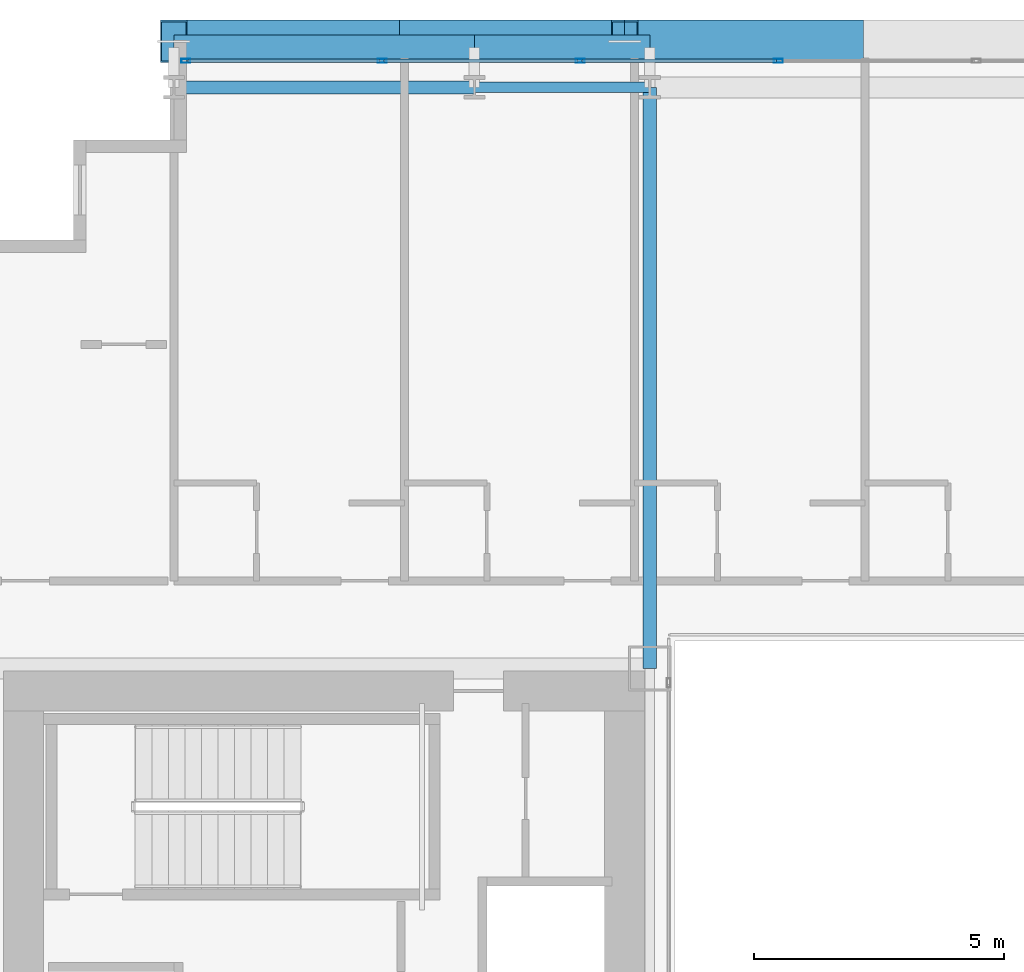
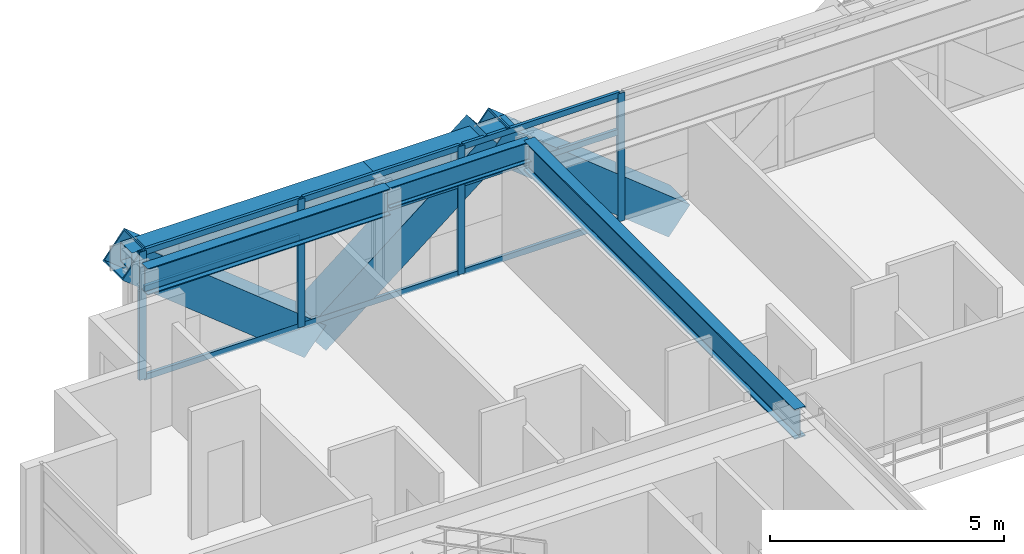
# One storey, part 21 of 41: 16 members, 5 beams, 1 element without a shape of its own.
"""IFC4 building model written with IfcOpenShell, lengths in metres."""

from ifc_helpers import new_model, si_unit, direction, frame, origin, origin_2d, place, context, subcontext, project, spatial, hollow_rectangle, i_section, extrude, source, transform, mapped, material, layer, layer_set, material_profile, profile_set, type_object, element, aggregate, save


model = new_model("IFC4")

# Units and contexts
model_context = context("Model", 3, precision=1e-05, world=origin(), true_north=direction((0.0, 1.0)))
body_context = subcontext(model_context, "Body", "Model", "MODEL_VIEW")
ifc_project = project(units=[si_unit("LENGTHUNIT", "METRE"), si_unit("AREAUNIT", "SQUARE_METRE"), si_unit("VOLUMEUNIT", "CUBIC_METRE"), si_unit("PLANEANGLEUNIT", "RADIAN"), si_unit("MASSUNIT", "GRAM", prefix="KILO")], contexts=[model_context])

# Site, building, storey
site_placement = place(None, origin())
site = spatial("IfcSite", under=ifc_project, at=site_placement, CompositionType="ELEMENT")
building_placement = place(site_placement, origin())
building = spatial("IfcBuilding", under=site, at=building_placement, Name="Ocotamira Hotel", CompositionType="ELEMENT")
storey_placement = place(building_placement, frame((0.0, 0.0, 38.39990234375)))
storey = spatial("IfcBuildingStorey", under=building, at=storey_placement, Name="L08", CompositionType="ELEMENT", Elevation=38.39990234375)

# Beams
ifc_material_1 = material(Name="Steel ASTM A992 Grade 50", Category="steel")
ifc_material_profile_1 = material_profile(ifc_material_1, i_section(OverallWidth=0.256103515625, OverallDepth=0.693115234375, WebThickness=0.014404296875, FlangeThickness=0.023681640625, FilletRadius=0.01611328125, at=origin_2d()), Name="W27X114")
ifc_profile_set_1 = profile_set([ifc_material_profile_1], Name="Steel ASTM A992 Grade 50")
beam_type_1 = type_object("IfcBeamType", Name="BM-PRIM-W27X114", PredefinedType="BEAM", material=ifc_profile_set_1)
shared_shape_1 = source(origin(), body_context, "Body", "SweptSolid", [
    extrude(i_section(OverallWidth=0.256103515625, OverallDepth=0.693115234375, WebThickness=0.014404296875, FlangeThickness=0.023681640625, FilletRadius=0.01611328125, at=origin_2d()), origin(), (0.0, 0.0, 1.0), 6.0),
])
beam_1_placement = place(storey_placement, frame((14.0, 49.050048828125, 3.003662109375), z_axis=(1.0, 0.0, 0.0), x_axis=(0.0, 1.0, 0.0)))
element("IfcBeam", 1, at=beam_1_placement, inside=storey, type_object=beam_type_1, Name="L08 Girder Y49.05 X14-20", PredefinedType="BEAM", context=body_context, shape_type="MappedRepresentation", body=[
    mapped(shared_shape_1, transform((0.0, 0.0, 0.0), scale=1.0)),
])
ifc_material_profile_2 = material_profile(ifc_material_1, i_section(OverallWidth=0.2099609375, OverallDepth=0.537109375, WebThickness=0.010986328125, FlangeThickness=0.017333984375, FilletRadius=0.012939453125, at=origin_2d()), Name="W21X68")
ifc_profile_set_2 = profile_set([ifc_material_profile_2], Name="Steel ASTM A992 Grade 50")
beam_type_2 = type_object("IfcBeamType", Name="BM-SEC-W21X68", PredefinedType="JOIST", material=ifc_profile_set_2)
shared_shape_2 = source(origin(), body_context, "Body", "SweptSolid", [
    extrude(i_section(OverallWidth=0.2099609375, OverallDepth=0.537109375, WebThickness=0.010986328125, FlangeThickness=0.017333984375, FilletRadius=0.012939453125, at=origin_2d()), origin(), (0.0, 0.0, 1.0), 3.5),
])
beam_2_placement = place(storey_placement, frame((20.0, 49.050048828125, 3.08154296875), z_axis=(1.0, 0.0, 0.0), x_axis=(0.0, 1.0, 0.0)))
element("IfcBeam", 2, at=beam_2_placement, inside=storey, type_object=beam_type_2, Name="L08 Girder Y49.05 X20-23.5", PredefinedType="JOIST", context=body_context, shape_type="MappedRepresentation", body=[
    mapped(shared_shape_2, transform((0.0, 0.0, 0.0), scale=1.0)),
])
ifc_material_profile_3 = material_profile(ifc_material_1, i_section(OverallWidth=0.26611328125, OverallDepth=0.779052734375, WebThickness=0.0166015625, FlangeThickness=0.030029296875, FilletRadius=0.01806640625, at=origin_2d()), Name="W30X148")
ifc_profile_set_3 = profile_set([ifc_material_profile_3], Name="Steel ASTM A992 Grade 50")
beam_type_3 = type_object("IfcBeamType", Name="BM-GIRD-W30X148", PredefinedType="BEAM", material=ifc_profile_set_3)
shared_shape_3 = source(origin(), body_context, "Body", "SweptSolid", [
    extrude(i_section(OverallWidth=0.26611328125, OverallDepth=0.779052734375, WebThickness=0.0166015625, FlangeThickness=0.030029296875, FilletRadius=0.01806640625, at=origin_2d()), origin(), (0.0, 0.0, 1.0), 11.60009765625),
])
beam_3_placement = place(storey_placement, frame((23.5, 37.449951171875, 2.960693359375), z_axis=(0.0, 1.0, 0.0), x_axis=(-1.0, 0.0, 0.0)))
element("IfcBeam", 3, at=beam_3_placement, inside=storey, type_object=beam_type_3, Name="L08 Beam X23.5 Y37.45-49.05", PredefinedType="BEAM", context=body_context, shape_type="MappedRepresentation", body=[
    mapped(shared_shape_3, transform((0.0, 0.0, 0.0), scale=1.0)),
])
ifc_material_2 = material(Name="Steel ASTM A500 Grade C", Category="steel")
ifc_material_profile_4 = material_profile(ifc_material_2, hollow_rectangle(XDim=0.5, YDim=0.5, WallThickness=0.02001953125, at=origin_2d()), Name="HSS500X500X20")
ifc_profile_set_4 = profile_set([ifc_material_profile_4], Name="Steel ASTM A500 Grade C")
beam_type_4 = type_object("IfcBeamType", Name="BM-SPAN-HSS500", PredefinedType="USERDEFINED", material=ifc_profile_set_4)
shared_shape_4 = source(origin(), body_context, "Body", "SweptSolid", [
    extrude(hollow_rectangle(XDim=0.5, YDim=0.5, WallThickness=0.02001953125, at=origin_2d()), origin(), (0.0, 0.0, 1.0), 6.0),
])
beam_4_placement = place(storey_placement, frame((14.0, 49.85009765625, 3.10009765625), z_axis=(1.0, 0.0, 0.0), x_axis=(0.0, 1.0, 0.0)))
element("IfcBeam", 4, at=beam_4_placement, inside=storey, type_object=beam_type_4, Name="L08 Edge Spandrel N X14-20", ObjectType="SPANDREL", PredefinedType="USERDEFINED", context=body_context, shape_type="MappedRepresentation", body=[
    mapped(shared_shape_4, transform((0.0, 0.0, 0.0), scale=1.0)),
])
shared_shape_5 = source(origin(), body_context, "Body", "SweptSolid", [
    extrude(hollow_rectangle(XDim=0.5, YDim=0.5, WallThickness=0.02001953125, at=origin_2d()), origin(), (0.0, 0.0, 1.0), 3.5),
])
beam_5_placement = place(storey_placement, frame((20.0, 49.85009765625, 3.10009765625), z_axis=(1.0, 0.0, 0.0), x_axis=(0.0, 1.0, 0.0)))
element("IfcBeam", 5, at=beam_5_placement, inside=storey, type_object=beam_type_4, Name="L08 Edge Spandrel N X20-23.5", ObjectType="SPANDREL", PredefinedType="USERDEFINED", context=body_context, shape_type="MappedRepresentation", body=[
    mapped(shared_shape_5, transform((0.0, 0.0, 0.0), scale=1.0)),
])

# Members
ifc_material_3 = material(Name="Pale-metal coated steel ASTM A913 Grade 65", Category="steel")
ifc_material_profile_5 = material_profile(ifc_material_3, hollow_rectangle(XDim=0.85009765625, YDim=0.85009765625, WallThickness=0.035888671875, at=origin_2d()), Name="BOX850X850X36")
ifc_profile_set_5 = profile_set([ifc_material_profile_5], Name="Pale-metal coated steel ASTM A913 Grade 65")
member_type_1 = type_object("IfcMemberType", Name="MEM-EXO-BOX850", PredefinedType="BRACE", material=ifc_profile_set_5)
shared_shape_6 = source(origin(), body_context, "Body", "SweptSolid", [
    extrude(hollow_rectangle(XDim=0.85009765625, YDim=0.85009765625, WallThickness=0.035888671875, at=origin_2d()), origin(), (0.0, 0.0, 1.0), 5.762939453125),
])
for number, where, z_axis, x_axis, name in (
    (6, (18.5, 49.969970703125, -0.5), (-0.780860543151, 0.0, 0.624705380279), (0.0, -1.0, 0.0), "L08 Exoskeleton Diagrid N0.1"),
    (7, (18.5, 49.969970703125, -0.5), (0.780860543151, 0.0, 0.624705380279), (0.0, 1.0, 0.0), "L08 Exoskeleton Diagrid N0.2"),
    (8, (27.5, 49.969970703125, -0.5), (-0.780860543151, 0.0, 0.624705380279), (0.0, -1.0, 0.0), "L08 Exoskeleton Diagrid N1.1"),
):
    element("IfcMember", number, at=place(storey_placement, frame(where, z_axis=z_axis, x_axis=x_axis)), inside=storey, type_object=member_type_1, Name=name, PredefinedType="BRACE", context=body_context, shape_type="MappedRepresentation", body=[
        mapped(shared_shape_6, transform((0.0, 0.0, 0.0), scale=1.0)),
    ])

# Curtain wall, members
ifc_material_4 = material(Name="Anodised pale-metal aluminium and solar glass", Category="aluminium")
ifc_layer = layer(ifc_material_4, 0.179931640625)
ifc_layer_set = layer_set([ifc_layer], Name="Anodised pale-metal aluminium and solar glass")
curtain_wall_type = type_object("IfcCurtainWallType", Name="CW-SYS2-Z1", PredefinedType="NOTDEFINED", material=ifc_layer_set)
curtain_wall_placement = place(storey_placement, origin())
curtain_wall = element("IfcCurtainWall", 9, at=curtain_wall_placement, inside=storey, type_object=curtain_wall_type, Name="L08 Curtain Wall CW-2 CW-L08-N", PredefinedType="NOTDEFINED")
ifc_material_5 = material(Name="Anodised pale-metal aluminium 6063-T6", Category="aluminium")
ifc_material_profile_6 = material_profile(ifc_material_5, hollow_rectangle(XDim=0.074951171875, YDim=0.14990234375, WallThickness=0.006103515625, at=origin_2d()), Name="HSS150X75X6")
ifc_profile_set_6 = profile_set([ifc_material_profile_6], Name="Anodised pale-metal aluminium 6063-T6")
member_type_2 = type_object("IfcMemberType", Name="CWT-150X75", PredefinedType="USERDEFINED", material=ifc_profile_set_6)
shared_shape_7 = source(origin(), body_context, "Body", "SweptSolid", [
    extrude(hollow_rectangle(XDim=0.074951171875, YDim=0.14990234375, WallThickness=0.006103515625, at=origin_2d()), origin(), (0.0, 0.0, 1.0), 3.83544921875),
])
member_1_placement = place(storey_placement, frame((14.280029296875, 49.580078125, 0.03759765625), z_axis=(1.0, 0.0, 0.0), x_axis=(0.0, 1.0, 0.0)))
member_1 = element("IfcMember", 10, at=member_1_placement, type_object=member_type_2, Name="CW-2 transom 1.1", ObjectType="TRANSOM", PredefinedType="USERDEFINED", context=body_context, shape_type="MappedRepresentation", body=[
    mapped(shared_shape_7, transform((0.0, 0.0, 0.0), scale=1.0)),
])
member_2_placement = place(storey_placement, frame((14.280029296875, 49.580078125, 2.35009765625), z_axis=(1.0, 0.0, 0.0), x_axis=(0.0, 1.0, 0.0)))
member_2 = element("IfcMember", 11, at=member_2_placement, type_object=member_type_2, Name="CW-2 transom 1.2", ObjectType="TRANSOM", PredefinedType="USERDEFINED", context=body_context, shape_type="MappedRepresentation", body=[
    mapped(shared_shape_7, transform((0.0, 0.0, 0.0), scale=1.0)),
])
member_3_placement = place(storey_placement, frame((14.280029296875, 49.580078125, 3.3125), z_axis=(1.0, 0.0, 0.0), x_axis=(0.0, 1.0, 0.0)))
member_3 = element("IfcMember", 12, at=member_3_placement, type_object=member_type_2, Name="CW-2 transom 1.3", ObjectType="TRANSOM", PredefinedType="USERDEFINED", context=body_context, shape_type="MappedRepresentation", body=[
    mapped(shared_shape_7, transform((0.0, 0.0, 0.0), scale=1.0)),
])
shared_shape_8 = source(origin(), body_context, "Body", "SweptSolid", [
    extrude(hollow_rectangle(XDim=0.074951171875, YDim=0.14990234375, WallThickness=0.006103515625, at=origin_2d()), origin(), (0.0, 0.0, 1.0), 3.87548828125),
])
member_4_placement = place(storey_placement, frame((18.195556640625, 49.580078125, 0.03759765625), z_axis=(1.0, 0.0, 0.0), x_axis=(0.0, 1.0, 0.0)))
member_4 = element("IfcMember", 13, at=member_4_placement, type_object=member_type_2, Name="CW-2 transom 2.1", ObjectType="TRANSOM", PredefinedType="USERDEFINED", context=body_context, shape_type="MappedRepresentation", body=[
    mapped(shared_shape_8, transform((0.0, 0.0, 0.0), scale=1.0)),
])
member_5_placement = place(storey_placement, frame((18.195556640625, 49.580078125, 2.35009765625), z_axis=(1.0, 0.0, 0.0), x_axis=(0.0, 1.0, 0.0)))
member_5 = element("IfcMember", 14, at=member_5_placement, type_object=member_type_2, Name="CW-2 transom 2.2", ObjectType="TRANSOM", PredefinedType="USERDEFINED", context=body_context, shape_type="MappedRepresentation", body=[
    mapped(shared_shape_8, transform((0.0, 0.0, 0.0), scale=1.0)),
])
member_6_placement = place(storey_placement, frame((18.195556640625, 49.580078125, 3.3125), z_axis=(1.0, 0.0, 0.0), x_axis=(0.0, 1.0, 0.0)))
member_6 = element("IfcMember", 15, at=member_6_placement, type_object=member_type_2, Name="CW-2 transom 2.3", ObjectType="TRANSOM", PredefinedType="USERDEFINED", context=body_context, shape_type="MappedRepresentation", body=[
    mapped(shared_shape_8, transform((0.0, 0.0, 0.0), scale=1.0)),
])
member_7_placement = place(storey_placement, frame((22.151123046875, 49.580078125, 0.03759765625), z_axis=(1.0, 0.0, 0.0), x_axis=(0.0, 1.0, 0.0)))
member_7 = element("IfcMember", 16, at=member_7_placement, type_object=member_type_2, Name="CW-2 transom 3.1", ObjectType="TRANSOM", PredefinedType="USERDEFINED", context=body_context, shape_type="MappedRepresentation", body=[
    mapped(shared_shape_8, transform((0.0, 0.0, 0.0), scale=1.0)),
])
member_8_placement = place(storey_placement, frame((22.151123046875, 49.580078125, 2.35009765625), z_axis=(1.0, 0.0, 0.0), x_axis=(0.0, 1.0, 0.0)))
member_8 = element("IfcMember", 17, at=member_8_placement, type_object=member_type_2, Name="CW-2 transom 3.2", ObjectType="TRANSOM", PredefinedType="USERDEFINED", context=body_context, shape_type="MappedRepresentation", body=[
    mapped(shared_shape_8, transform((0.0, 0.0, 0.0), scale=1.0)),
])
member_9_placement = place(storey_placement, frame((22.151123046875, 49.580078125, 3.3125), z_axis=(1.0, 0.0, 0.0), x_axis=(0.0, 1.0, 0.0)))
member_9 = element("IfcMember", 18, at=member_9_placement, type_object=member_type_2, Name="CW-2 transom 3.3", ObjectType="TRANSOM", PredefinedType="USERDEFINED", context=body_context, shape_type="MappedRepresentation", body=[
    mapped(shared_shape_8, transform((0.0, 0.0, 0.0), scale=1.0)),
])
ifc_material_profile_7 = material_profile(ifc_material_5, hollow_rectangle(XDim=0.080078125, YDim=0.179931640625, WallThickness=0.006103515625, at=origin_2d()), Name="HSS180X80X6")
ifc_profile_set_7 = profile_set([ifc_material_profile_7], Name="Anodised pale-metal aluminium 6063-T6")
member_type_3 = type_object("IfcMemberType", Name="CWM-180X75", PredefinedType="MULLION", material=ifc_profile_set_7)
shared_shape_9 = source(origin(), body_context, "Body", "SweptSolid", [
    extrude(hollow_rectangle(XDim=0.080078125, YDim=0.179931640625, WallThickness=0.006103515625, at=origin_2d()), origin(), (0.0, 0.0, 1.0), 3.35009765625),
])
member_10_placement = place(storey_placement, frame((14.239990234375, 49.580078125, 0.0), z_axis=(0.0, 0.0, 1.0), x_axis=(0.0, 1.0, 0.0)))
member_10 = element("IfcMember", 19, at=member_10_placement, type_object=member_type_3, Name="CW-2 mullion 1", PredefinedType="MULLION", context=body_context, shape_type="MappedRepresentation", body=[
    mapped(shared_shape_9, transform((0.0, 0.0, 0.0), scale=1.0)),
])
member_11_placement = place(storey_placement, frame((18.155517578125, 49.580078125, 0.0), z_axis=(0.0, 0.0, 1.0), x_axis=(0.0, 1.0, 0.0)))
member_11 = element("IfcMember", 20, at=member_11_placement, type_object=member_type_3, Name="CW-2 mullion 2", PredefinedType="MULLION", context=body_context, shape_type="MappedRepresentation", body=[
    mapped(shared_shape_9, transform((0.0, 0.0, 0.0), scale=1.0)),
])
member_12_placement = place(storey_placement, frame((22.111083984375, 49.580078125, 0.0), z_axis=(0.0, 0.0, 1.0), x_axis=(0.0, 1.0, 0.0)))
member_12 = element("IfcMember", 21, at=member_12_placement, type_object=member_type_3, Name="CW-2 mullion 3", PredefinedType="MULLION", context=body_context, shape_type="MappedRepresentation", body=[
    mapped(shared_shape_9, transform((0.0, 0.0, 0.0), scale=1.0)),
])
member_13_placement = place(storey_placement, frame((26.066650390625, 49.580078125, 0.0), z_axis=(0.0, 0.0, 1.0), x_axis=(0.0, 1.0, 0.0)))
member_13 = element("IfcMember", 22, at=member_13_placement, type_object=member_type_3, Name="CW-2 mullion 4", PredefinedType="MULLION", context=body_context, shape_type="MappedRepresentation", body=[
    mapped(shared_shape_9, transform((0.0, 0.0, 0.0), scale=1.0)),
])
aggregate(curtain_wall, [member_10, member_11, member_12, member_13, member_1, member_2, member_3, member_4, member_5, member_6, member_7, member_8, member_9])

save(model, "model.ifc")
